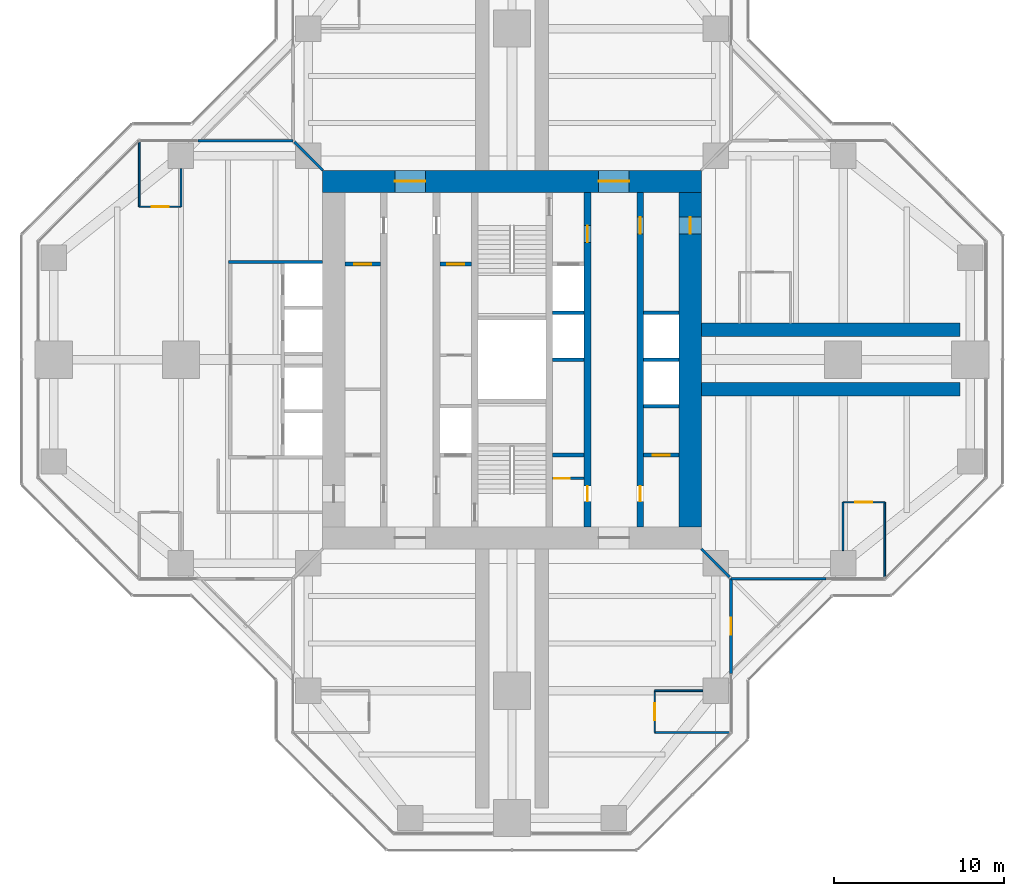
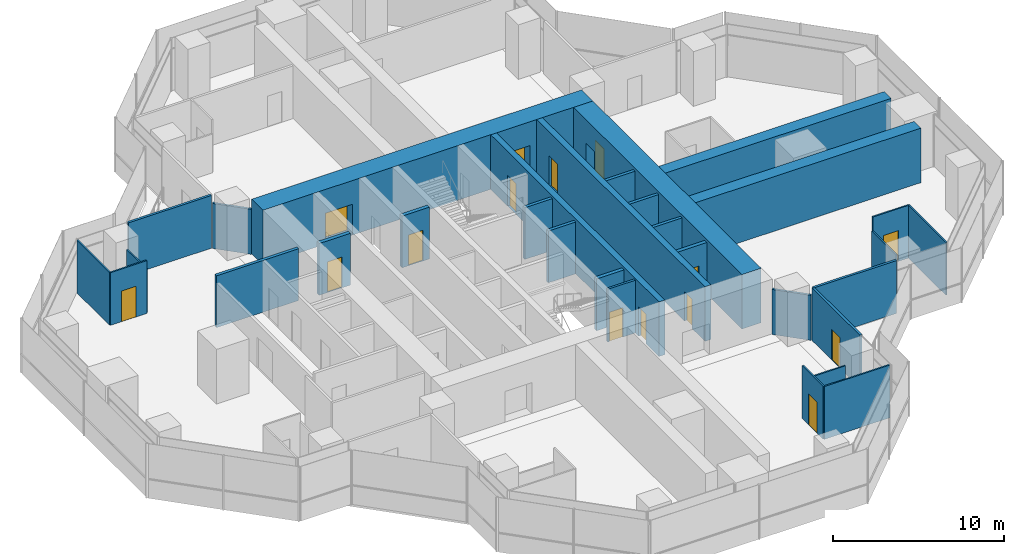
# One storey, part 14 of 17: 31 walls, 15 doors, 15 openings.
"""IFC4 building model written with IfcOpenShell, lengths in metres."""

import ifcopenshell
import ifcopenshell.guid

model = None  # the IFC model being written
_history = None  # IfcOwnerHistory: only IFC2X3 demands one
_inside = {}  # id of a spatial element -> (the spatial element, [elements in it])
_under = {}  # id of a project, library or spatial element -> (it, [spatial elements below it])
_declared = {}  # id of a project -> (the project, [libraries it declares])
_typed = {}  # id of a type object -> (the type object, [elements of that type])
_made_of = {}  # id of a material, layer set ... -> (it, [elements and type objects made of it])


def new_model(schema):
    """Start an empty IFC model of exactly this schema.

    Asked for "IFC4X3", IfcOpenShell would pick the latest addendum, in which some entities
    have other attributes; the version numbers below select the first issue.
    IFC2X3 requires an IfcOwnerHistory on every rooted entity: one is made here for all.
    """
    global model, _history
    if schema == "IFC4X3":
        model = ifcopenshell.file(schema_version=(4, 3, 0, 0))
    else:
        model = ifcopenshell.file(schema=schema)
    _inside.clear()
    _under.clear()
    _declared.clear()
    _typed.clear()
    _made_of.clear()
    _history = None
    if model.schema == "IFC2X3":
        org = make("IfcOrganization", Name="unknown")
        user = make(
            "IfcPersonAndOrganization",
            ThePerson=make("IfcPerson", FamilyName="unknown"),
            TheOrganization=org,
        )
        app = make(
            "IfcApplication",
            ApplicationDeveloper=org,
            Version="unknown",
            ApplicationFullName="unknown",
            ApplicationIdentifier="unknown",
        )
        _history = make(
            "IfcOwnerHistory",
            OwningUser=user,
            OwningApplication=app,
            ChangeAction="ADDED",
            CreationDate=0,
        )
    return model


def make(cls, **values):
    """One entity of the class cls with the attributes given. An attribute that is None is left unset."""
    return model.create_entity(
        cls, **{name: value for name, value in values.items() if value is not None}
    )


def rooted(cls, **values):
    """An entity with a GlobalId (a new one), such as an element, a storey or a relation."""
    return make(cls, GlobalId=ifcopenshell.guid.new(), OwnerHistory=_history, **values)


def si_unit(unit_type, name, prefix=None):
    """IfcSIUnit, for example si_unit("LENGTHUNIT", "METRE", prefix="MILLI")."""
    return make("IfcSIUnit", UnitType=unit_type, Prefix=prefix, Name=name)


def assignment(units):
    """IfcUnitAssignment: the units of a project."""
    return None if units is None else make("IfcUnitAssignment", Units=units)


def point(xyz):
    """IfcCartesianPoint."""
    return None if xyz is None else make("IfcCartesianPoint", Coordinates=xyz)


def direction(xyz):
    """IfcDirection."""
    return None if xyz is None else make("IfcDirection", DirectionRatios=xyz)


def frame(location, z_axis=None, x_axis=None):
    """IfcAxis2Placement3D, a coordinate frame: its origin and axes. An axis left out is left unset."""
    return make(
        "IfcAxis2Placement3D",
        Location=point(location),
        Axis=direction(z_axis),
        RefDirection=direction(x_axis),
    )


def frame_2d(location, x_axis=None):
    """IfcAxis2Placement2D, a coordinate frame in the plane: its origin and x axis."""
    return make(
        "IfcAxis2Placement2D", Location=point(location), RefDirection=direction(x_axis)
    )


def origin():
    """The frame at (0, 0, 0) with its axes left unset."""
    return frame((0.0, 0.0, 0.0))


def place(relative_to, where):
    """IfcLocalPlacement: puts the frame where relative to a parent placement (None: the world)."""
    return make(
        "IfcLocalPlacement", PlacementRelTo=relative_to, RelativePlacement=where
    )


def context(
    kind, dimensions, precision=None, world=None, true_north=None, identifier=None
):
    """IfcGeometricRepresentationContext, for example the 3D "Model" context."""
    return make(
        "IfcGeometricRepresentationContext",
        ContextIdentifier=identifier,
        ContextType=kind,
        CoordinateSpaceDimension=dimensions,
        Precision=precision,
        WorldCoordinateSystem=world,
        TrueNorth=true_north,
    )


def subcontext(parent, identifier, kind, view, scale=None):
    """IfcGeometricRepresentationSubContext, for example "Body" below "Model"."""
    return make(
        "IfcGeometricRepresentationSubContext",
        ContextIdentifier=identifier,
        ContextType=kind,
        ParentContext=parent,
        TargetScale=scale,
        TargetView=view,
    )


def project(units=None, contexts=None):
    """IfcProject with its units and contexts."""
    return rooted(
        "IfcProject",
        Name="project",
        RepresentationContexts=contexts,
        UnitsInContext=assignment(units),
    )


def spatial(cls, under=None, at=None, **own):
    """A site, building, storey or space (cls), placed at a placement, below another one or the project."""
    s = rooted(cls, ObjectPlacement=at, **own)
    if under is not None:
        _under.setdefault(under.id(), (under, []))[1].append(s)
    return s


def profile(cls, at=None, kind="AREA", **sizes):
    """A parametric profile (cls). Its sizes go by their IFC names, for example OverallWidth=200.0."""
    return make(cls, ProfileType=kind, Position=at, **sizes)


def rectangle(**sizes):
    """IfcRectangleProfileDef."""
    return profile("IfcRectangleProfileDef", **sizes)


def extrude(swept, where, along, depth):
    """IfcExtrudedAreaSolid: the profile swept, set in the frame where, extruded along a direction by depth."""
    return make(
        "IfcExtrudedAreaSolid",
        SweptArea=swept,
        Position=where,
        ExtrudedDirection=direction(along),
        Depth=depth,
    )


def shape(context_of_items, identifier, shape_type, items):
    """IfcShapeRepresentation: the items that make up one representation, for example the "Body"."""
    return make(
        "IfcShapeRepresentation",
        ContextOfItems=context_of_items,
        RepresentationIdentifier=identifier,
        RepresentationType=shape_type,
        Items=items,
    )


def material(Name=None, Category=None):
    """IfcMaterial."""
    return make("IfcMaterial", Name=Name, Category=Category)


def layer(
    of_material, thickness, ventilated=None, Name=None, Category=None, Priority=None
):
    """IfcMaterialLayer: one layer of a wall or slab, of a material (None: an air gap)."""
    return make(
        "IfcMaterialLayer",
        Material=of_material,
        LayerThickness=thickness,
        IsVentilated=ventilated,
        Name=Name,
        Category=Category,
        Priority=Priority,
    )


def layer_set(layers, Name=None):
    """IfcMaterialLayerSet."""
    return make("IfcMaterialLayerSet", MaterialLayers=layers, LayerSetName=Name)


def made_of(thing, what):
    """Note that an element or type object is made of a material, layer set ...; save() writes the relation."""
    if what is not None:
        _made_of.setdefault(what.id(), (what, []))[1].append(thing)
    return thing


def type_object(cls, material=None, **own):
    """A type object (cls), such as IfcWallType, which elements share."""
    return made_of(rooted(cls, **own), material)


def element(
    cls,
    number,
    at=None,
    inside=None,
    cuts=None,
    type_object=None,
    material=None,
    context=None,
    identifier="Body",
    shape_type=None,
    held_by="IfcProductDefinitionShape",
    body=None,
    shapes=None,
    **own,
):
    """One element of the class cls, such as IfcWall. Its Tag is "e" and its number.

    at: its placement. inside: the storey or other place that contains it. cuts: it is an
    opening in that element (IfcRelVoidsElement). A single representation is given by context,
    identifier, shape_type and body (its items); several are given by shapes. held_by: the class
    of the entity that holds the representations. save() writes the other relations.
    """
    e = rooted(cls, Tag="e%d" % number, ObjectPlacement=at, **own)
    if body is not None:
        shapes = [shape(context, identifier, shape_type, body)]
    if shapes is not None:
        e.Representation = make(held_by, Representations=shapes)
    if inside is not None:
        _inside.setdefault(inside.id(), (inside, []))[1].append(e)
    if cuts is not None:
        rooted(
            "IfcRelVoidsElement", RelatingBuildingElement=cuts, RelatedOpeningElement=e
        )
    if type_object is not None:
        _typed.setdefault(type_object.id(), (type_object, []))[1].append(e)
    return made_of(e, material)


def fill(opening, filler):
    """IfcRelFillsElement: the door or window that sits in an opening."""
    return rooted(
        "IfcRelFillsElement",
        RelatingOpeningElement=opening,
        RelatedBuildingElement=filler,
    )


def aggregate(whole, parts):
    """IfcRelAggregates: a whole, such as a stair, and the parts it consists of."""
    return rooted("IfcRelAggregates", RelatingObject=whole, RelatedObjects=parts)


def save(model, path):
    """Write the relations noted so far, then the file.

    IfcRelAggregates (storeys below a building ...), IfcRelContainedInSpatialStructure (elements
    in a storey), IfcRelDefinesByType, IfcRelAssociatesMaterial and IfcRelDeclares: one each for
    every whole, place, type object, material and project.
    """
    for whole, parts in _under.values():
        aggregate(whole, parts)
    for where, things in _inside.values():
        rooted(
            "IfcRelContainedInSpatialStructure",
            RelatedElements=things,
            RelatingStructure=where,
        )
    for kind, things in _typed.values():
        rooted("IfcRelDefinesByType", RelatedObjects=things, RelatingType=kind)
    for what, things in _made_of.values():
        rooted("IfcRelAssociatesMaterial", RelatedObjects=things, RelatingMaterial=what)
    for by, libraries in _declared.values():
        rooted("IfcRelDeclares", RelatingContext=by, RelatedDefinitions=libraries)
    model.write(path)


model = new_model("IFC4")

# Units and contexts
model_context = context("Model", 3, precision=1e-05, world=origin(), true_north=direction((0.0, 1.0)))
body_context = subcontext(model_context, "Body", "Model", "MODEL_VIEW")
ifc_project = project(units=[si_unit("LENGTHUNIT", "METRE"), si_unit("AREAUNIT", "SQUARE_METRE"), si_unit("VOLUMEUNIT", "CUBIC_METRE"), si_unit("PLANEANGLEUNIT", "RADIAN"), si_unit("MASSUNIT", "GRAM", prefix="KILO")], contexts=[model_context])

# Site, building, storey
site_placement = place(None, origin())
site = spatial("IfcSite", under=ifc_project, at=site_placement, CompositionType="ELEMENT")
building_placement = place(site_placement, origin())
building = spatial("IfcBuilding", under=site, at=building_placement, Name="Mizan Broadcast Tower", CompositionType="ELEMENT")
storey_placement = place(building_placement, frame((0.0, 0.0, 259.5)))
storey = spatial("IfcBuildingStorey", under=building, at=storey_placement, Name="L61", CompositionType="ELEMENT", Elevation=259.5)

# Wall, openings, doors
ifc_material_1 = material(Name="Concrete C70/85", Category="concrete")
ifc_layer_1 = layer(ifc_material_1, 0.39990234375)
ifc_layer_set_1 = layer_set([ifc_layer_1], Name="Concrete C70/85")
wall_type_1 = type_object("IfcWallType", Name="CORE INTERNAL WALL 400", PredefinedType="SHEAR", material=ifc_layer_set_1)
wall_1_placement = place(storey_placement, frame((7.550048828125, 9.85009765625, 0.0), z_axis=(0.0, 0.0, 1.0), x_axis=(0.0, -1.0, 0.0)))
wall_1 = element("IfcWall", 1, at=wall_1_placement, inside=storey, type_object=wall_type_1, Name="Core wall CORE/XW1E", PredefinedType="SHEAR", context=body_context, shape_type="SweptSolid", body=[
    extrude(rectangle(XDim=19.7001953125, YDim=0.39990234375, at=frame_2d((9.85009765625, 0.0))), origin(), (0.0, 0.0, 1.0), 3.89990234375),
])
opening_1_placement = place(wall_1_placement, frame((1.449951171875, 0.0, 0.0)))
opening_1 = element("IfcOpeningElement", 2, at=opening_1_placement, cuts=wall_1, Name="Opening D10F", PredefinedType="OPENING", context=body_context, shape_type="SweptSolid", body=[
    extrude(rectangle(XDim=1.0, YDim=2.199951171875, at=frame_2d((0.5, 1.10009765625))), frame((0.0, 0.2099609375, 0.0), z_axis=(0.0, -1.0, 0.0), x_axis=(1.0, 0.0, 0.0)), (0.0, 0.0, 1.0), 0.419921875),
])
opening_2_placement = place(wall_1_placement, frame((17.300048828125, 0.0, 0.0)))
opening_2 = element("IfcOpeningElement", 3, at=opening_2_placement, cuts=wall_1, Name="Opening D09", PredefinedType="OPENING", context=body_context, shape_type="SweptSolid", body=[
    extrude(rectangle(XDim=0.89990234375, YDim=2.10009765625, at=frame_2d((0.449951171875, 1.050048828125))), frame((0.0, 0.2099609375, 0.0), z_axis=(0.0, -1.0, 0.0), x_axis=(1.0, 0.0, 0.0)), (0.0, 0.0, 1.0), 0.419921875),
])
ifc_material_2 = material(Name="Steel door leaf in steel frame", Category="steel")
door_type_1 = type_object("IfcDoorType", Name="FIRE DOOR 1000 FD90", OperationType="SINGLE_SWING_LEFT", PredefinedType="DOOR", material=ifc_material_2)
door_1_placement = place(opening_1_placement, origin())
door_1 = element("IfcDoor", 4, at=door_1_placement, inside=storey, type_object=door_type_1, Name="East core passage door", OperationType="SINGLE_SWING_LEFT", OverallHeight=2.199951171875, OverallWidth=1.0, PredefinedType="DOOR", context=body_context, shape_type="SweptSolid", body=[
    extrude(rectangle(XDim=1.0, YDim=2.199951171875, at=frame_2d((0.5, 1.10009765625))), frame((0.0, 0.02490234375, 0.0), z_axis=(0.0, -1.0, 0.0), x_axis=(1.0, 0.0, 0.0)), (0.0, 0.0, 1.0), 0.050048828125),
])
fill(opening_1, door_1)
ifc_material_3 = material(Name="Timber door leaf in aluminium frame", Category="wood")
door_type_2 = type_object("IfcDoorType", Name="TOILET DOOR 900", OperationType="SINGLE_SWING_LEFT", PredefinedType="DOOR", material=ifc_material_3)
door_2_placement = place(opening_2_placement, origin())
door_2 = element("IfcDoor", 5, at=door_2_placement, inside=storey, type_object=door_type_2, Name="Female WC door", OperationType="SINGLE_SWING_RIGHT", OverallHeight=2.10009765625, OverallWidth=0.89990234375, PredefinedType="DOOR", context=body_context, shape_type="SweptSolid", body=[
    extrude(rectangle(XDim=0.89990234375, YDim=2.10009765625, at=frame_2d((0.449951171875, 1.050048828125))), frame((0.0, 0.02490234375, 0.0), z_axis=(0.0, -1.0, 0.0), x_axis=(1.0, 0.0, 0.0)), (0.0, 0.0, 1.0), 0.050048828125),
])
fill(opening_2, door_2)

wall_2_placement = place(storey_placement, frame((4.449951171875, 9.85009765625, 0.0), z_axis=(0.0, 0.0, 1.0), x_axis=(0.0, -1.0, 0.0)))
wall_2 = element("IfcWall", 6, at=wall_2_placement, inside=storey, type_object=wall_type_1, Name="Core wall CORE/XWHE", PredefinedType="SHEAR", context=body_context, shape_type="SweptSolid", body=[
    extrude(rectangle(XDim=19.7001953125, YDim=0.39990234375, at=frame_2d((9.85009765625, 0.0))), origin(), (0.0, 0.0, 1.0), 3.89990234375),
])
opening_3_placement = place(wall_2_placement, frame((1.949951171875, 0.0, 0.0)))
opening_3 = element("IfcOpeningElement", 7, at=opening_3_placement, cuts=wall_2, Name="Opening D10F", PredefinedType="OPENING", context=body_context, shape_type="SweptSolid", body=[
    extrude(rectangle(XDim=1.0, YDim=2.199951171875, at=frame_2d((0.5, 1.10009765625))), frame((0.0, 0.2099609375, 0.0), z_axis=(0.0, -1.0, 0.0), x_axis=(1.0, 0.0, 0.0)), (0.0, 0.0, 1.0), 0.419921875),
])
opening_4_placement = place(wall_2_placement, frame((17.300048828125, 0.0, 0.0)))
opening_4 = element("IfcOpeningElement", 8, at=opening_4_placement, cuts=wall_2, Name="Opening D09", PredefinedType="OPENING", context=body_context, shape_type="SweptSolid", body=[
    extrude(rectangle(XDim=0.89990234375, YDim=2.10009765625, at=frame_2d((0.449951171875, 1.050048828125))), frame((0.0, 0.2099609375, 0.0), z_axis=(0.0, -1.0, 0.0), x_axis=(1.0, 0.0, 0.0)), (0.0, 0.0, 1.0), 0.419921875),
])
door_3_placement = place(opening_3_placement, origin())
door_3 = element("IfcDoor", 9, at=door_3_placement, inside=storey, type_object=door_type_1, Name="Firefighting lobby B door", OperationType="SINGLE_SWING_LEFT", OverallHeight=2.199951171875, OverallWidth=1.0, PredefinedType="DOOR", context=body_context, shape_type="SweptSolid", body=[
    extrude(rectangle(XDim=1.0, YDim=2.199951171875, at=frame_2d((0.5, 1.10009765625))), frame((0.0, 0.02490234375, 0.0), z_axis=(0.0, -1.0, 0.0), x_axis=(1.0, 0.0, 0.0)), (0.0, 0.0, 1.0), 0.050048828125),
])
fill(opening_3, door_3)
door_4_placement = place(opening_4_placement, origin())
door_4 = element("IfcDoor", 10, at=door_4_placement, inside=storey, type_object=door_type_2, Name="Cleaner's store door", OperationType="SINGLE_SWING_RIGHT", OverallHeight=2.10009765625, OverallWidth=0.89990234375, PredefinedType="DOOR", context=body_context, shape_type="SweptSolid", body=[
    extrude(rectangle(XDim=0.89990234375, YDim=2.10009765625, at=frame_2d((0.449951171875, 1.050048828125))), frame((0.0, 0.02490234375, 0.0), z_axis=(0.0, -1.0, 0.0), x_axis=(1.0, 0.0, 0.0)), (0.0, 0.0, 1.0), 0.050048828125),
])
fill(opening_4, door_4)

# Wall, opening, door
ifc_material_4 = material(Name="Concrete blockwork", Category="masonry")
ifc_layer_2 = layer(ifc_material_4, 0.14990234375)
ifc_layer_set_2 = layer_set([ifc_layer_2], Name="Concrete blockwork")
wall_type_2 = type_object("IfcWallType", Name="CORE PARTITION 150", PredefinedType="SOLIDWALL", material=ifc_layer_set_2)
wall_3_placement = place(storey_placement, frame((2.39990234375, -7.0, 0.0), z_axis=(0.0, 0.0, 1.0), x_axis=(1.0, 0.0, 0.0)))
wall_3 = element("IfcWall", 11, at=wall_3_placement, inside=storey, type_object=wall_type_2, Name="Core partition CORE/XPC", PredefinedType="SOLIDWALL", context=body_context, shape_type="SweptSolid", body=[
    extrude(rectangle(XDim=1.85009765625, YDim=0.14990234375, at=frame_2d((0.925048828125, 0.0))), origin(), (0.0, 0.0, 1.0), 3.77001953125),
])
opening_5_placement = place(wall_3_placement, frame((0.10009765625, 0.0, 0.0)))
opening_5 = element("IfcOpeningElement", 12, at=opening_5_placement, cuts=wall_3, Name="Opening D09F", PredefinedType="OPENING", context=body_context, shape_type="SweptSolid", body=[
    extrude(rectangle(XDim=0.89990234375, YDim=2.10009765625, at=frame_2d((0.449951171875, 1.050048828125))), frame((0.0, 0.0849609375, 0.0), z_axis=(0.0, -1.0, 0.0), x_axis=(1.0, 0.0, 0.0)), (0.0, 0.0, 1.0), 0.169921875),
])
ifc_material_5 = material(Name="Steel door leaf in steel frame", Category="steel")
door_type_3 = type_object("IfcDoorType", Name="CORE ROOM DOOR 900 FD90", OperationType="SINGLE_SWING_LEFT", PredefinedType="DOOR", material=ifc_material_5)
door_5_placement = place(opening_5_placement, origin())
door_5 = element("IfcDoor", 13, at=door_5_placement, inside=storey, type_object=door_type_3, Name="Cleaning materials store door", OperationType="SINGLE_SWING_LEFT", OverallHeight=2.10009765625, OverallWidth=0.89990234375, PredefinedType="DOOR", context=body_context, shape_type="SweptSolid", body=[
    extrude(rectangle(XDim=0.89990234375, YDim=2.10009765625, at=frame_2d((0.449951171875, 1.050048828125))), frame((0.0, 0.02490234375, 0.0), z_axis=(0.0, -1.0, 0.0), x_axis=(1.0, 0.0, 0.0)), (0.0, 0.0, 1.0), 0.050048828125),
])
fill(opening_5, door_5)

# Wall, openings, doors
ifc_material_6 = material(Name="Concrete C70/85", Category="concrete")
ifc_layer_3 = layer(ifc_material_6, 1.300048828125)
ifc_layer_set_3 = layer_set([ifc_layer_3], Name="Concrete C70/85")
wall_type_3 = type_object("IfcWallType", Name="CORE WALL 1300", PredefinedType="SHEAR", material=ifc_layer_set_3)
wall_4_placement = place(storey_placement, frame((-11.14990234375, 10.5, 0.0), z_axis=(0.0, 0.0, 1.0), x_axis=(1.0, 0.0, 0.0)))
wall_4 = element("IfcWall", 14, at=wall_4_placement, inside=storey, type_object=wall_type_3, Name="Core wall N L61", PredefinedType="SHEAR", context=body_context, shape_type="SweptSolid", body=[
    extrude(rectangle(XDim=22.2998046875, YDim=1.300048828125, at=frame_2d((11.14990234375, 0.0))), origin(), (0.0, 0.0, 1.0), 3.89990234375),
])
opening_6_placement = place(wall_4_placement, frame((4.25, 0.0, 0.0)))
opening_6 = element("IfcOpeningElement", 15, at=opening_6_placement, cuts=wall_4, Name="Opening D18F", PredefinedType="OPENING", context=body_context, shape_type="SweptSolid", body=[
    extrude(rectangle(XDim=1.800048828125, YDim=2.199951171875, at=frame_2d((0.89990234375, 1.10009765625))), frame((0.0, 0.659912109375, 0.0), z_axis=(0.0, -1.0, 0.0), x_axis=(1.0, 0.0, 0.0)), (0.0, 0.0, 1.0), 1.320068359375),
])
opening_7_placement = place(wall_4_placement, frame((16.25, 0.0, 0.0)))
opening_7 = element("IfcOpeningElement", 16, at=opening_7_placement, cuts=wall_4, Name="Opening D18F", PredefinedType="OPENING", context=body_context, shape_type="SweptSolid", body=[
    extrude(rectangle(XDim=1.800048828125, YDim=2.199951171875, at=frame_2d((0.89990234375, 1.10009765625))), frame((0.0, 0.659912109375, 0.0), z_axis=(0.0, -1.0, 0.0), x_axis=(1.0, 0.0, 0.0)), (0.0, 0.0, 1.0), 1.320068359375),
])
ifc_material_7 = material(Name="Steel door leaf in steel frame", Category="steel")
door_type_4 = type_object("IfcDoorType", Name="LOBBY DOUBLE DOOR 1800 FD90", OperationType="DOUBLE_DOOR_DOUBLE_SWING", PredefinedType="DOOR", material=ifc_material_7)
door_6_placement = place(opening_6_placement, origin())
door_6 = element("IfcDoor", 17, at=door_6_placement, inside=storey, type_object=door_type_4, Name="West lift lobby north door", OperationType="DOUBLE_DOOR_DOUBLE_SWING", OverallHeight=2.199951171875, OverallWidth=1.800048828125, PredefinedType="DOOR", context=body_context, shape_type="SweptSolid", body=[
    extrude(rectangle(XDim=1.800048828125, YDim=2.199951171875, at=frame_2d((0.89990234375, 1.10009765625))), frame((0.0, 0.02490234375, 0.0), z_axis=(0.0, -1.0, 0.0), x_axis=(1.0, 0.0, 0.0)), (0.0, 0.0, 1.0), 0.050048828125),
])
fill(opening_6, door_6)
door_7_placement = place(opening_7_placement, origin())
door_7 = element("IfcDoor", 18, at=door_7_placement, inside=storey, type_object=door_type_4, Name="East lift lobby north door", OperationType="DOUBLE_DOOR_DOUBLE_SWING", OverallHeight=2.199951171875, OverallWidth=1.800048828125, PredefinedType="DOOR", context=body_context, shape_type="SweptSolid", body=[
    extrude(rectangle(XDim=1.800048828125, YDim=2.199951171875, at=frame_2d((0.89990234375, 1.10009765625))), frame((0.0, 0.02490234375, 0.0), z_axis=(0.0, -1.0, 0.0), x_axis=(1.0, 0.0, 0.0)), (0.0, 0.0, 1.0), 0.050048828125),
])
fill(opening_7, door_7)

# Wall, opening, door
wall_5_placement = place(storey_placement, frame((10.5, -9.85009765625, 0.0), z_axis=(0.0, 0.0, 1.0), x_axis=(0.0, 1.0, 0.0)))
wall_5 = element("IfcWall", 19, at=wall_5_placement, inside=storey, type_object=wall_type_3, Name="Core wall E L61", PredefinedType="SHEAR", context=body_context, shape_type="SweptSolid", body=[
    extrude(rectangle(XDim=19.7001953125, YDim=1.300048828125, at=frame_2d((9.85009765625, 0.0))), origin(), (0.0, 0.0, 1.0), 3.89990234375),
])
opening_8_placement = place(wall_5_placement, frame((17.25, 0.0, 0.0)))
opening_8 = element("IfcOpeningElement", 20, at=opening_8_placement, cuts=wall_5, Name="Opening D10F", PredefinedType="OPENING", context=body_context, shape_type="SweptSolid", body=[
    extrude(rectangle(XDim=1.0, YDim=2.199951171875, at=frame_2d((0.5, 1.10009765625))), frame((0.0, 0.659912109375, 0.0), z_axis=(0.0, -1.0, 0.0), x_axis=(1.0, 0.0, 0.0)), (0.0, 0.0, 1.0), 1.320068359375),
])
door_8_placement = place(opening_8_placement, origin())
door_8 = element("IfcDoor", 21, at=door_8_placement, inside=storey, type_object=door_type_1, Name="East core passage arm door", OperationType="SINGLE_SWING_RIGHT", OverallHeight=2.199951171875, OverallWidth=1.0, PredefinedType="DOOR", context=body_context, shape_type="SweptSolid", body=[
    extrude(rectangle(XDim=1.0, YDim=2.199951171875, at=frame_2d((0.5, 1.10009765625))), frame((0.0, 0.02490234375, 0.0), z_axis=(0.0, -1.0, 0.0), x_axis=(1.0, 0.0, 0.0)), (0.0, 0.0, 1.0), 0.050048828125),
])
fill(opening_8, door_8)

# Walls
ifc_material_8 = material(Name="Aluminium framed glazed screen", Category="aluminium")
ifc_layer_4 = layer(ifc_material_8, 0.159912109375)
ifc_layer_set_4 = layer_set([ifc_layer_4], Name="Aluminium framed glazed screen")
wall_type_4 = type_object("IfcWallType", Name="GLAZED SCREEN WALL 160", PredefinedType="SOLIDWALL", material=ifc_layer_set_4)
for number, where, z_axis, x_axis, name in (
    (22, (12.89990234375, -12.89990234375, 0.0), (0.0, 0.0, 1.0), (1.0, 0.0, 0.0), "Winter garden screen L61 E"),
    (23, (-12.89990234375, 12.89990234375, 0.0), (0.0, 0.0, 1.0), (-1.0, 0.0, 0.0), "Winter garden screen L61 W"),
):
    element("IfcWall", number, at=place(storey_placement, frame(where, z_axis=z_axis, x_axis=x_axis)), inside=storey, type_object=wall_type_4, Name=name, PredefinedType="SOLIDWALL", context=body_context, shape_type="SweptSolid", body=[
        extrude(rectangle(XDim=5.60009765625, YDim=0.159912109375, at=frame_2d((2.800048828125, 0.0))), origin(), (0.0, 0.0, 1.0), 3.77001953125),
    ])

# Wall, opening, door
wall_6_placement = place(storey_placement, frame((12.89990234375, -18.5, 0.0), z_axis=(0.0, 0.0, 1.0), x_axis=(0.0, 1.0, 0.0)))
wall_6 = element("IfcWall", 24, at=wall_6_placement, inside=storey, type_object=wall_type_4, Name="Winter garden screen L61 S", PredefinedType="SOLIDWALL", context=body_context, shape_type="SweptSolid", body=[
    extrude(rectangle(XDim=5.60009765625, YDim=0.159912109375, at=frame_2d((2.800048828125, 0.0))), origin(), (0.0, 0.0, 1.0), 3.77001953125),
])
opening_9_placement = place(wall_6_placement, frame((2.300048828125, 0.0, 0.0)))
opening_9 = element("IfcOpeningElement", 25, at=opening_9_placement, cuts=wall_6, Name="Opening WGD", PredefinedType="OPENING", context=body_context, shape_type="SweptSolid", body=[
    extrude(rectangle(XDim=1.0, YDim=2.199951171875, at=frame_2d((0.5, 1.10009765625))), frame((0.0, 0.08984375, 0.0), z_axis=(0.0, -1.0, 0.0), x_axis=(1.0, 0.0, 0.0)), (0.0, 0.0, 1.0), 0.179931640625),
])
ifc_material_9 = material(Name="Aluminium framed glazed door", Category="aluminium")
door_type_5 = type_object("IfcDoorType", Name="WINTER GARDEN DOOR 1000 GLAZED", OperationType="SINGLE_SWING_LEFT", PredefinedType="DOOR", material=ifc_material_9)
door_9_placement = place(opening_9_placement, origin())
door_9 = element("IfcDoor", 26, at=door_9_placement, inside=storey, type_object=door_type_5, Name="Winter garden door L61 S", OperationType="SINGLE_SWING_RIGHT", OverallHeight=2.199951171875, OverallWidth=1.0, PredefinedType="DOOR", context=body_context, shape_type="SweptSolid", body=[
    extrude(rectangle(XDim=1.0, YDim=2.199951171875, at=frame_2d((0.5, 1.10009765625))), frame((0.0, 0.02490234375, 0.0), z_axis=(0.0, -1.0, 0.0), x_axis=(1.0, 0.0, 0.0)), (0.0, 0.0, 1.0), 0.050048828125),
])
fill(opening_9, door_9)

# Walls
ifc_material_10 = material(Name="Concrete blockwork", Category="masonry")
ifc_layer_5 = layer(ifc_material_10, 0.199951171875)
ifc_layer_set_5 = layer_set([ifc_layer_5], Name="Concrete blockwork")
wall_type_5 = type_object("IfcWallType", Name="LIFT SHAFT WALL 200", PredefinedType="SOLIDWALL", material=ifc_layer_set_5)
wall_7_placement = place(storey_placement, frame((7.75, -2.75, 0.0), z_axis=(0.0, 0.0, 1.0), x_axis=(1.0, 0.0, 0.0)))
element("IfcWall", 27, at=wall_7_placement, inside=storey, type_object=wall_type_5, Name="Lift shaft wall CORE/SE1-1", PredefinedType="SOLIDWALL", context=body_context, shape_type="SweptSolid", body=[
    extrude(rectangle(XDim=2.10009765625, YDim=0.199951171875, at=frame_2d((1.050048828125, 0.0))), origin(), (0.0, 0.0, 1.0), 3.699951171875),
])
wall_8_placement = place(storey_placement, frame((2.39990234375, 0.0, 0.0), z_axis=(0.0, 0.0, 1.0), x_axis=(1.0, 0.0, 0.0)))
element("IfcWall", 28, at=wall_8_placement, inside=storey, type_object=wall_type_5, Name="Lift shaft wall CORE/SE2-2", PredefinedType="SOLIDWALL", context=body_context, shape_type="SweptSolid", body=[
    extrude(rectangle(XDim=1.85009765625, YDim=0.199951171875, at=frame_2d((0.925048828125, 0.0))), origin(), (0.0, 0.0, 1.0), 3.699951171875),
])
wall_9_placement = place(storey_placement, frame((7.75, 0.0, 0.0), z_axis=(0.0, 0.0, 1.0), x_axis=(1.0, 0.0, 0.0)))
element("IfcWall", 29, at=wall_9_placement, inside=storey, type_object=wall_type_5, Name="Lift shaft wall CORE/SE1-2", PredefinedType="SOLIDWALL", context=body_context, shape_type="SweptSolid", body=[
    extrude(rectangle(XDim=2.10009765625, YDim=0.199951171875, at=frame_2d((1.050048828125, 0.0))), origin(), (0.0, 0.0, 1.0), 3.699951171875),
])
wall_10_placement = place(storey_placement, frame((2.39990234375, 2.75, 0.0), z_axis=(0.0, 0.0, 1.0), x_axis=(1.0, 0.0, 0.0)))
element("IfcWall", 30, at=wall_10_placement, inside=storey, type_object=wall_type_5, Name="Lift shaft wall CORE/SE2-3", PredefinedType="SOLIDWALL", context=body_context, shape_type="SweptSolid", body=[
    extrude(rectangle(XDim=1.85009765625, YDim=0.199951171875, at=frame_2d((0.925048828125, 0.0))), origin(), (0.0, 0.0, 1.0), 3.699951171875),
])
wall_11_placement = place(storey_placement, frame((7.75, 2.75, 0.0), z_axis=(0.0, 0.0, 1.0), x_axis=(1.0, 0.0, 0.0)))
element("IfcWall", 31, at=wall_11_placement, inside=storey, type_object=wall_type_5, Name="Lift shaft wall CORE/SE1-3", PredefinedType="SOLIDWALL", context=body_context, shape_type="SweptSolid", body=[
    extrude(rectangle(XDim=2.10009765625, YDim=0.199951171875, at=frame_2d((1.050048828125, 0.0))), origin(), (0.0, 0.0, 1.0), 3.699951171875),
])
wall_12_placement = place(storey_placement, frame((-11.14990234375, 5.75, 0.0), z_axis=(0.0, 0.0, 1.0), x_axis=(-1.0, 0.0, 0.0)))
element("IfcWall", 32, at=wall_12_placement, inside=storey, type_object=wall_type_5, Name="Lift shaft wall LC/S1", PredefinedType="SOLIDWALL", context=body_context, shape_type="SweptSolid", body=[
    extrude(rectangle(XDim=5.550048828125, YDim=0.199951171875, at=frame_2d((2.77490234375, 0.0))), origin(), (0.0, 0.0, 1.0), 3.699951171875),
])

# Wall, opening, door
ifc_material_11 = material(Name="Concrete blockwork", Category="masonry")
ifc_layer_6 = layer(ifc_material_11, 0.25)
ifc_layer_set_6 = layer_set([ifc_layer_6], Name="Concrete blockwork")
wall_type_6 = type_object("IfcWallType", Name="LOBBY ENCLOSURE WALL 250", PredefinedType="SOLIDWALL", material=ifc_layer_set_6)
wall_13_placement = place(storey_placement, frame((-9.85009765625, 5.625, 0.0), z_axis=(0.0, 0.0, 1.0), x_axis=(1.0, 0.0, 0.0)))
wall_13 = element("IfcWall", 33, at=wall_13_placement, inside=storey, type_object=wall_type_6, Name="Lobby enclosure wall CORE/BW1N", PredefinedType="SOLIDWALL", context=body_context, shape_type="SweptSolid", body=[
    extrude(rectangle(XDim=2.10009765625, YDim=0.25, at=frame_2d((1.050048828125, 0.0))), origin(), (0.0, 0.0, 1.0), 3.699951171875),
])
opening_10_placement = place(wall_13_placement, frame((0.550048828125, 0.0, 0.0)))
opening_10 = element("IfcOpeningElement", 34, at=opening_10_placement, cuts=wall_13, Name="Opening D10F", PredefinedType="OPENING", context=body_context, shape_type="SweptSolid", body=[
    extrude(rectangle(XDim=1.0, YDim=2.199951171875, at=frame_2d((0.5, 1.10009765625))), frame((0.0, 0.135009765625, 0.0), z_axis=(0.0, -1.0, 0.0), x_axis=(1.0, 0.0, 0.0)), (0.0, 0.0, 1.0), 0.27001953125),
])
door_10_placement = place(opening_10_placement, origin())
door_10 = element("IfcDoor", 35, at=door_10_placement, inside=storey, type_object=door_type_1, Name="Staff changing room door", OperationType="SINGLE_SWING_RIGHT", OverallHeight=2.199951171875, OverallWidth=1.0, PredefinedType="DOOR", context=body_context, shape_type="SweptSolid", body=[
    extrude(rectangle(XDim=1.0, YDim=2.199951171875, at=frame_2d((0.5, 1.10009765625))), frame((0.0, 0.02490234375, 0.0), z_axis=(0.0, -1.0, 0.0), x_axis=(1.0, 0.0, 0.0)), (0.0, 0.0, 1.0), 0.050048828125),
])
fill(opening_10, door_10)

wall_14_placement = place(storey_placement, frame((-4.25, 5.625, 0.0), z_axis=(0.0, 0.0, 1.0), x_axis=(1.0, 0.0, 0.0)))
wall_14 = element("IfcWall", 36, at=wall_14_placement, inside=storey, type_object=wall_type_6, Name="Lobby enclosure wall CORE/BW2N", PredefinedType="SOLIDWALL", context=body_context, shape_type="SweptSolid", body=[
    extrude(rectangle(XDim=1.85009765625, YDim=0.25, at=frame_2d((0.925048828125, 0.0))), origin(), (0.0, 0.0, 1.0), 3.699951171875),
])
opening_11_placement = place(wall_14_placement, frame((0.425048828125, 0.0, 0.0)))
opening_11 = element("IfcOpeningElement", 37, at=opening_11_placement, cuts=wall_14, Name="Opening D10F", PredefinedType="OPENING", context=body_context, shape_type="SweptSolid", body=[
    extrude(rectangle(XDim=1.0, YDim=2.199951171875, at=frame_2d((0.5, 1.10009765625))), frame((0.0, 0.135009765625, 0.0), z_axis=(0.0, -1.0, 0.0), x_axis=(1.0, 0.0, 0.0)), (0.0, 0.0, 1.0), 0.27001953125),
])
door_11_placement = place(opening_11_placement, origin())
door_11 = element("IfcDoor", 38, at=door_11_placement, inside=storey, type_object=door_type_1, Name="Baby change room door", OperationType="SINGLE_SWING_RIGHT", OverallHeight=2.199951171875, OverallWidth=1.0, PredefinedType="DOOR", context=body_context, shape_type="SweptSolid", body=[
    extrude(rectangle(XDim=1.0, YDim=2.199951171875, at=frame_2d((0.5, 1.10009765625))), frame((0.0, 0.02490234375, 0.0), z_axis=(0.0, -1.0, 0.0), x_axis=(1.0, 0.0, 0.0)), (0.0, 0.0, 1.0), 0.050048828125),
])
fill(opening_11, door_11)

# Wall
wall_15_placement = place(storey_placement, frame((2.39990234375, -5.625, 0.0), z_axis=(0.0, 0.0, 1.0), x_axis=(1.0, 0.0, 0.0)))
element("IfcWall", 39, at=wall_15_placement, inside=storey, type_object=wall_type_6, Name="Lobby enclosure wall CORE/BE2S", PredefinedType="SOLIDWALL", context=body_context, shape_type="SweptSolid", body=[
    extrude(rectangle(XDim=1.85009765625, YDim=0.25, at=frame_2d((0.925048828125, 0.0))), origin(), (0.0, 0.0, 1.0), 3.699951171875),
])

# Wall, opening, door
wall_16_placement = place(storey_placement, frame((7.75, -5.625, 0.0), z_axis=(0.0, 0.0, 1.0), x_axis=(1.0, 0.0, 0.0)))
wall_16 = element("IfcWall", 40, at=wall_16_placement, inside=storey, type_object=wall_type_6, Name="Lobby enclosure wall CORE/BE1S", PredefinedType="SOLIDWALL", context=body_context, shape_type="SweptSolid", body=[
    extrude(rectangle(XDim=2.10009765625, YDim=0.25, at=frame_2d((1.050048828125, 0.0))), origin(), (0.0, 0.0, 1.0), 3.699951171875),
])
opening_12_placement = place(wall_16_placement, frame((0.550048828125, 0.0, 0.0)))
opening_12 = element("IfcOpeningElement", 41, at=opening_12_placement, cuts=wall_16, Name="Opening D10F", PredefinedType="OPENING", context=body_context, shape_type="SweptSolid", body=[
    extrude(rectangle(XDim=1.0, YDim=2.199951171875, at=frame_2d((0.5, 1.10009765625))), frame((0.0, 0.135009765625, 0.0), z_axis=(0.0, -1.0, 0.0), x_axis=(1.0, 0.0, 0.0)), (0.0, 0.0, 1.0), 0.27001953125),
])
door_12_placement = place(opening_12_placement, origin())
door_12 = element("IfcDoor", 42, at=door_12_placement, inside=storey, type_object=door_type_1, Name="Staff changing room door", OperationType="SINGLE_SWING_LEFT", OverallHeight=2.199951171875, OverallWidth=1.0, PredefinedType="DOOR", context=body_context, shape_type="SweptSolid", body=[
    extrude(rectangle(XDim=1.0, YDim=2.199951171875, at=frame_2d((0.5, 1.10009765625))), frame((0.0, 0.02490234375, 0.0), z_axis=(0.0, -1.0, 0.0), x_axis=(1.0, 0.0, 0.0)), (0.0, 0.0, 1.0), 0.050048828125),
])
fill(opening_12, door_12)

# Walls
ifc_material_12 = material(Name="Gypsum board on steel studs", Category="steel")
ifc_layer_7 = layer(ifc_material_12, 0.14990234375)
ifc_layer_set_7 = layer_set([ifc_layer_7], Name="Gypsum board on steel studs")
wall_type_7 = type_object("IfcWallType", Name="PARTITION 150", PredefinedType="PARTITIONING", material=ifc_layer_set_7)
for number, where, z_axis, x_axis, name in (
    (43, (-11.14990234375, 11.14990234375, 0.0), (0.0, 0.0, 1.0), (-0.707106781187, 0.707106781187, 0.0), "Partition PT/DGWN"),
    (44, (11.14990234375, -11.14990234375, 0.0), (0.0, 0.0, 1.0), (0.707106781187, -0.707106781187, 0.0), "Partition PT/DGES"),
):
    element("IfcWall", number, at=place(storey_placement, frame(where, z_axis=z_axis, x_axis=x_axis)), inside=storey, type_object=wall_type_7, Name=name, PredefinedType="PARTITIONING", context=body_context, shape_type="SweptSolid", body=[
        extrude(rectangle(XDim=2.362060546875, YDim=0.14990234375, at=frame_2d((1.18115234375, 0.0))), origin(), (0.0, 0.0, 1.0), 3.219970703125),
    ])

# Wall, opening, door
ifc_material_13 = material(Name="Glazed aluminium partition on aluminium track", Category="aluminium")
ifc_layer_8 = layer(ifc_material_13, 0.10009765625)
ifc_layer_set_8 = layer_set([ifc_layer_8], Name="Glazed aluminium partition on aluminium track")
wall_type_8 = type_object("IfcWallType", Name="PARTITION GLAZED OFFICE FRONT 100", PredefinedType="PARTITIONING", material=ifc_layer_set_8)
wall_17_placement = place(storey_placement, frame((19.5, -8.39990234375, 0.0), z_axis=(0.0, 0.0, 1.0), x_axis=(1.0, 0.0, 0.0)))
wall_17 = element("IfcWall", 45, at=wall_17_placement, inside=storey, type_object=wall_type_8, Name="Glazed office front PT/ECN0", PredefinedType="PARTITIONING", context=body_context, shape_type="SweptSolid", body=[
    extrude(rectangle(XDim=2.458984375, YDim=0.10009765625, at=frame_2d((1.2294921875, 0.0))), origin(), (0.0, 0.0, 1.0), 3.77001953125),
])
opening_13_placement = place(wall_17_placement, frame((0.7294921875, 0.0, 0.0)))
opening_13 = element("IfcOpeningElement", 46, at=opening_13_placement, cuts=wall_17, Name="Opening D10O", PredefinedType="OPENING", context=body_context, shape_type="SweptSolid", body=[
    extrude(rectangle(XDim=1.0, YDim=2.199951171875, at=frame_2d((0.5, 1.10009765625))), frame((0.0, 0.06005859375, 0.0), z_axis=(0.0, -1.0, 0.0), x_axis=(1.0, 0.0, 0.0)), (0.0, 0.0, 1.0), 0.1201171875),
])
ifc_material_14 = material(Name="Timber door leaf in aluminium frame", Category="wood")
door_type_6 = type_object("IfcDoorType", Name="OFFICE DOOR 1000 GLAZED", OperationType="SINGLE_SWING_LEFT", PredefinedType="DOOR", material=ifc_material_14)
door_13_placement = place(opening_13_placement, origin())
door_13 = element("IfcDoor", 47, at=door_13_placement, inside=storey, type_object=door_type_6, Name="Tenant meeting room door", OperationType="SINGLE_SWING_LEFT", OverallHeight=2.199951171875, OverallWidth=1.0, PredefinedType="DOOR", context=body_context, shape_type="SweptSolid", body=[
    extrude(rectangle(XDim=1.0, YDim=2.199951171875, at=frame_2d((0.5, 1.10009765625))), frame((0.0, 0.02490234375, 0.0), z_axis=(0.0, -1.0, 0.0), x_axis=(1.0, 0.0, 0.0)), (0.0, 0.0, 1.0), 0.050048828125),
])
fill(opening_13, door_13)

# Walls
wall_18_placement = place(storey_placement, frame((19.5, -8.39990234375, 0.0), z_axis=(0.0, 0.0, 1.0), x_axis=(0.0, -1.0, 0.0)))
element("IfcWall", 48, at=wall_18_placement, inside=storey, type_object=wall_type_8, Name="Glazed office front PT/EQN1950", PredefinedType="PARTITIONING", context=body_context, shape_type="SweptSolid", body=[
    extrude(rectangle(XDim=2.85009765625, YDim=0.10009765625, at=frame_2d((1.425048828125, 0.0))), origin(), (0.0, 0.0, 1.0), 2.77001953125),
])
wall_19_placement = place(storey_placement, frame((21.958984375, -8.39990234375, 0.0), z_axis=(0.0, 0.0, 1.0), x_axis=(0.0, -1.0, 0.0)))
element("IfcWall", 49, at=wall_19_placement, inside=storey, type_object=wall_type_8, Name="Glazed office front PT/EQN2196", PredefinedType="PARTITIONING", context=body_context, shape_type="SweptSolid", body=[
    extrude(rectangle(XDim=4.420166015625, YDim=0.10009765625, at=frame_2d((2.2099609375, 0.0))), origin(), (0.0, 0.0, 1.0), 3.77001953125),
])

# Wall, opening, door
wall_20_placement = place(storey_placement, frame((-19.5, 9.0, 0.0), z_axis=(0.0, 0.0, 1.0), x_axis=(-1.0, 0.0, 0.0)))
wall_20 = element("IfcWall", 50, at=wall_20_placement, inside=storey, type_object=wall_type_8, Name="Glazed office front PT/WCN0", PredefinedType="PARTITIONING", context=body_context, shape_type="SweptSolid", body=[
    extrude(rectangle(XDim=2.458984375, YDim=0.10009765625, at=frame_2d((1.2294921875, 0.0))), origin(), (0.0, 0.0, 1.0), 3.77001953125),
])
opening_14_placement = place(wall_20_placement, frame((0.7294921875, 0.0, 0.0)))
opening_14 = element("IfcOpeningElement", 51, at=opening_14_placement, cuts=wall_20, Name="Opening D10O", PredefinedType="OPENING", context=body_context, shape_type="SweptSolid", body=[
    extrude(rectangle(XDim=1.0, YDim=2.199951171875, at=frame_2d((0.5, 1.10009765625))), frame((0.0, 0.06005859375, 0.0), z_axis=(0.0, -1.0, 0.0), x_axis=(1.0, 0.0, 0.0)), (0.0, 0.0, 1.0), 0.1201171875),
])
door_14_placement = place(opening_14_placement, origin())
door_14 = element("IfcDoor", 52, at=door_14_placement, inside=storey, type_object=door_type_6, Name="Tenant servery door", OperationType="SINGLE_SWING_LEFT", OverallHeight=2.199951171875, OverallWidth=1.0, PredefinedType="DOOR", context=body_context, shape_type="SweptSolid", body=[
    extrude(rectangle(XDim=1.0, YDim=2.199951171875, at=frame_2d((0.5, 1.10009765625))), frame((0.0, 0.02490234375, 0.0), z_axis=(0.0, -1.0, 0.0), x_axis=(1.0, 0.0, 0.0)), (0.0, 0.0, 1.0), 0.050048828125),
])
fill(opening_14, door_14)

# Walls
wall_21_placement = place(storey_placement, frame((-19.5, 9.0, 0.0), z_axis=(0.0, 0.0, 1.0), x_axis=(0.0, 1.0, 0.0)))
element("IfcWall", 53, at=wall_21_placement, inside=storey, type_object=wall_type_8, Name="Glazed office front PT/WQN1950", PredefinedType="PARTITIONING", context=body_context, shape_type="SweptSolid", body=[
    extrude(rectangle(XDim=2.25, YDim=0.10009765625, at=frame_2d((1.125, 0.0))), origin(), (0.0, 0.0, 1.0), 3.179931640625),
])
wall_22_placement = place(storey_placement, frame((-21.958984375, 9.0, 0.0), z_axis=(0.0, 0.0, 1.0), x_axis=(0.0, 1.0, 0.0)))
element("IfcWall", 54, at=wall_22_placement, inside=storey, type_object=wall_type_8, Name="Glazed office front PT/WQN2196", PredefinedType="PARTITIONING", context=body_context, shape_type="SweptSolid", body=[
    extrude(rectangle(XDim=3.820068359375, YDim=0.10009765625, at=frame_2d((1.91015625, 0.0))), origin(), (0.0, 0.0, 1.0), 3.77001953125),
])

# Wall, opening, door
wall_23_placement = place(storey_placement, frame((8.39990234375, -19.5, 0.0), z_axis=(0.0, 0.0, 1.0), x_axis=(0.0, -1.0, 0.0)))
wall_23 = element("IfcWall", 55, at=wall_23_placement, inside=storey, type_object=wall_type_8, Name="Glazed office front PT/SCP0", PredefinedType="PARTITIONING", context=body_context, shape_type="SweptSolid", body=[
    extrude(rectangle(XDim=2.458984375, YDim=0.10009765625, at=frame_2d((1.2294921875, 0.0))), origin(), (0.0, 0.0, 1.0), 3.77001953125),
])
opening_15_placement = place(wall_23_placement, frame((0.7294921875, 0.0, 0.0)))
opening_15 = element("IfcOpeningElement", 56, at=opening_15_placement, cuts=wall_23, Name="Opening D10O", PredefinedType="OPENING", context=body_context, shape_type="SweptSolid", body=[
    extrude(rectangle(XDim=1.0, YDim=2.199951171875, at=frame_2d((0.5, 1.10009765625))), frame((0.0, 0.06005859375, 0.0), z_axis=(0.0, -1.0, 0.0), x_axis=(1.0, 0.0, 0.0)), (0.0, 0.0, 1.0), 0.1201171875),
])
door_15_placement = place(opening_15_placement, origin())
door_15 = element("IfcDoor", 57, at=door_15_placement, inside=storey, type_object=door_type_6, Name="Office door", OperationType="SINGLE_SWING_LEFT", OverallHeight=2.199951171875, OverallWidth=1.0, PredefinedType="DOOR", context=body_context, shape_type="SweptSolid", body=[
    extrude(rectangle(XDim=1.0, YDim=2.199951171875, at=frame_2d((0.5, 1.10009765625))), frame((0.0, 0.02490234375, 0.0), z_axis=(0.0, -1.0, 0.0), x_axis=(1.0, 0.0, 0.0)), (0.0, 0.0, 1.0), 0.050048828125),
])
fill(opening_15, door_15)

# Walls
wall_24_placement = place(storey_placement, frame((8.39990234375, -19.5, 0.0), z_axis=(0.0, 0.0, 1.0), x_axis=(1.0, 0.0, 0.0)))
element("IfcWall", 58, at=wall_24_placement, inside=storey, type_object=wall_type_8, Name="Glazed office front PT/SQP1950", PredefinedType="PARTITIONING", context=body_context, shape_type="SweptSolid", body=[
    extrude(rectangle(XDim=2.85009765625, YDim=0.10009765625, at=frame_2d((1.425048828125, 0.0))), origin(), (0.0, 0.0, 1.0), 2.77001953125),
])
wall_25_placement = place(storey_placement, frame((8.39990234375, -21.958984375, 0.0), z_axis=(0.0, 0.0, 1.0), x_axis=(1.0, 0.0, 0.0)))
element("IfcWall", 59, at=wall_25_placement, inside=storey, type_object=wall_type_8, Name="Glazed office front PT/SQP2196", PredefinedType="PARTITIONING", context=body_context, shape_type="SweptSolid", body=[
    extrude(rectangle(XDim=4.420166015625, YDim=0.10009765625, at=frame_2d((2.2099609375, 0.0))), origin(), (0.0, 0.0, 1.0), 3.77001953125),
])
ifc_material_15 = material(Name="Concrete C70/85", Category="concrete")
ifc_layer_9 = layer(ifc_material_15, 0.800048828125)
ifc_layer_set_9 = layer_set([ifc_layer_9], Name="Concrete C70/85")
wall_type_9 = type_object("IfcWallType", Name="SPINE WALL 800", PredefinedType="SHEAR", material=ifc_layer_set_9)
for number, where, z_axis, x_axis, name in (
    (60, (11.14990234375, -1.75, 0.0), (0.0, 0.0, 1.0), (1.0, 0.0, 0.0), "Spine wall ER L61"),
    (61, (11.14990234375, 1.75, 0.0), (0.0, 0.0, 1.0), (1.0, 0.0, 0.0), "Spine wall EL L61"),
):
    element("IfcWall", number, at=place(storey_placement, frame(where, z_axis=z_axis, x_axis=x_axis)), inside=storey, type_object=wall_type_9, Name=name, PredefinedType="SHEAR", context=body_context, shape_type="SweptSolid", body=[
        extrude(rectangle(XDim=15.25, YDim=0.800048828125, at=frame_2d((7.625, 0.0))), origin(), (0.0, 0.0, 1.0), 3.89990234375),
    ])

save(model, "model.ifc")
